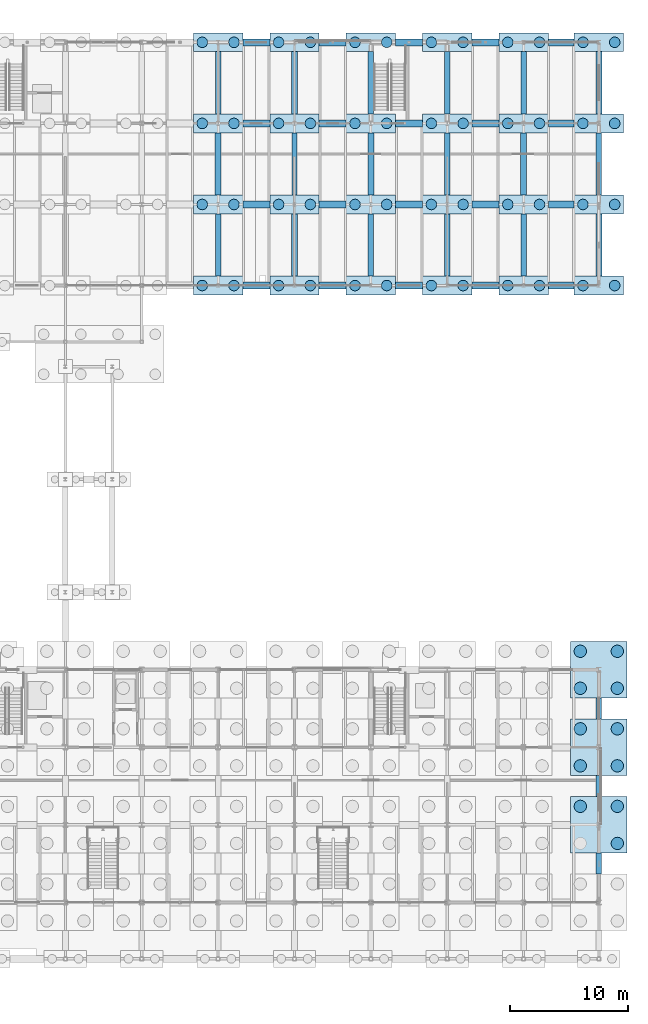
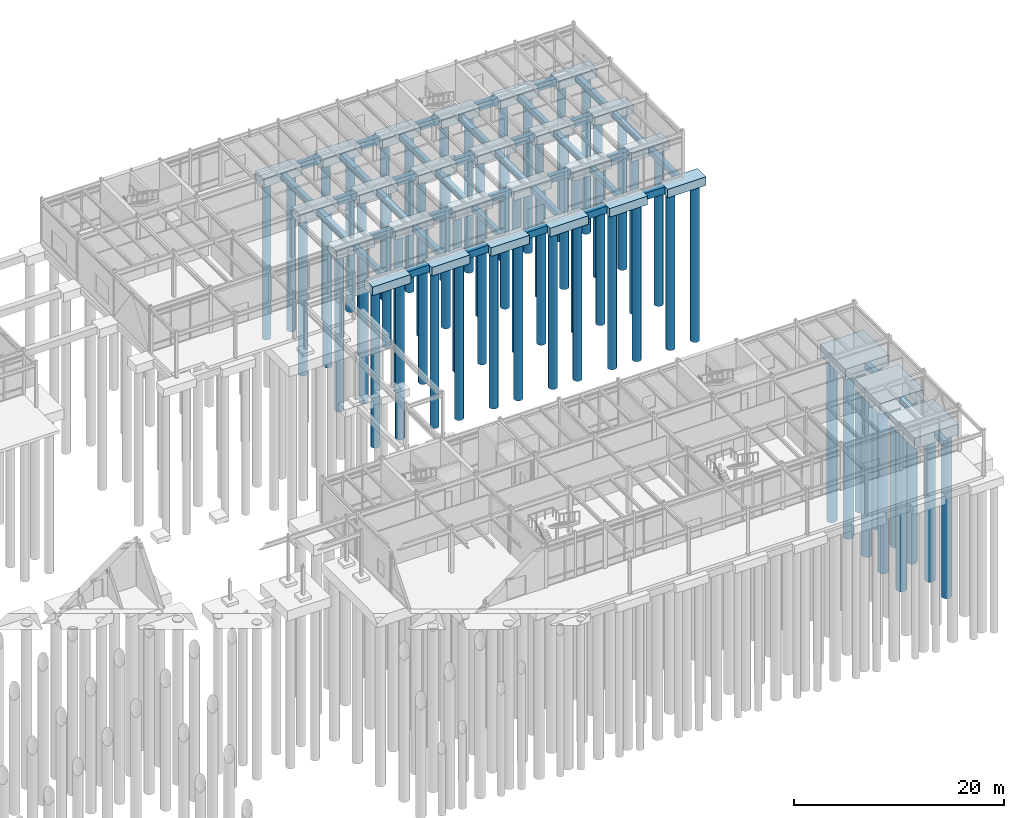
# One storey, part 7 of 82: 68 footings, 59 piles.
"""IFC4 building model written with IfcOpenShell, lengths in metres."""

from ifc_helpers import new_model, si_unit, direction, frame, origin, origin_2d, place, context, subcontext, project, spatial, rectangle, circle, extrude, material, material_profile, profile_set, type_object, element, save


model = new_model("IFC4")

# Units and contexts
model_context = context("Model", 3, precision=1e-05, world=origin(), true_north=direction((0.0, 1.0)))
body_context = subcontext(model_context, "Body", "Model", "MODEL_VIEW")
ifc_project = project(units=[si_unit("LENGTHUNIT", "METRE"), si_unit("AREAUNIT", "SQUARE_METRE"), si_unit("VOLUMEUNIT", "CUBIC_METRE"), si_unit("PLANEANGLEUNIT", "RADIAN"), si_unit("MASSUNIT", "GRAM", prefix="KILO")], contexts=[model_context])

# Site, building, storey
site_placement = place(None, origin())
site = spatial("IfcSite", under=ifc_project, at=site_placement, CompositionType="ELEMENT")
building_placement = place(site_placement, origin())
building = spatial("IfcBuilding", under=site, at=building_placement, Name="Trelmorton Wharf Fire Station", CompositionType="ELEMENT")
storey_placement = place(building_placement, origin())
storey = spatial("IfcBuildingStorey", under=building, at=storey_placement, Name="L00", CompositionType="ELEMENT", Elevation=0.0)

# Footings
ifc_material_1 = material(Name="Concrete 40 MPa", Category="concrete")
ifc_material_profile_1 = material_profile(ifc_material_1, rectangle(XDim=0.449951171875, YDim=0.64990234375, at=origin_2d()), Name="RC450x650")
ifc_profile_set_1 = profile_set([ifc_material_profile_1], Name="Concrete 40 MPa")
footing_type_1 = type_object("IfcFootingType", Name="GB_450x650", PredefinedType="FOOTING_BEAM", material=ifc_profile_set_1)
footing_1_placement = place(storey_placement, frame((130.0, 61.10009765625, -0.675048828125), z_axis=(0.0, 1.0, 0.0), x_axis=(-1.0, 0.0, 0.0)))
element("IfcFooting", 1, at=footing_1_placement, inside=storey, type_object=footing_type_1, Name="FT-GB-327", PredefinedType="FOOTING_BEAM", context=body_context, shape_type="SweptSolid", body=[
    extrude(rectangle(XDim=0.449951171875, YDim=0.64990234375, at=origin_2d()), origin(), (0.0, 0.0, 1.0), 5.2998046875),
])
for number, where, z_axis, x_axis, name in (
    (2, (130.0, 74.89990234375, -0.675048828125), (0.0, 1.0, 0.0), (-1.0, 0.0, 0.0), "FT-GB-329"),
    (3, (136.5, 68.0, -0.675048828125), (0.0, 1.0, 0.0), (-1.0, 0.0, 0.0), "FT-GB-335"),
):
    element("IfcFooting", number, at=place(storey_placement, frame(where, z_axis=z_axis, x_axis=x_axis)), inside=storey, type_object=footing_type_1, Name=name, PredefinedType="FOOTING_BEAM", context=body_context, shape_type="SweptSolid", body=[
        extrude(rectangle(XDim=0.449951171875, YDim=0.64990234375, at=origin_2d()), origin(), (0.0, 0.0, 1.0), 5.300048828125),
    ])
footing_2_placement = place(storey_placement, frame((143.0, 61.10009765625, -0.675048828125), z_axis=(0.0, 1.0, 0.0), x_axis=(-1.0, 0.0, 0.0)))
element("IfcFooting", 4, at=footing_2_placement, inside=storey, type_object=footing_type_1, Name="FT-GB-341", PredefinedType="FOOTING_BEAM", context=body_context, shape_type="SweptSolid", body=[
    extrude(rectangle(XDim=0.449951171875, YDim=0.64990234375, at=origin_2d()), origin(), (0.0, 0.0, 1.0), 5.2998046875),
])
for number, where, z_axis, x_axis, name in (
    (5, (143.0, 74.89990234375, -0.675048828125), (0.0, 1.0, 0.0), (-1.0, 0.0, 0.0), "FT-GB-343"),
    (6, (149.5, 68.0, -0.675048828125), (0.0, 1.0, 0.0), (-1.0, 0.0, 0.0), "FT-GB-349"),
):
    element("IfcFooting", number, at=place(storey_placement, frame(where, z_axis=z_axis, x_axis=x_axis)), inside=storey, type_object=footing_type_1, Name=name, PredefinedType="FOOTING_BEAM", context=body_context, shape_type="SweptSolid", body=[
        extrude(rectangle(XDim=0.449951171875, YDim=0.64990234375, at=origin_2d()), origin(), (0.0, 0.0, 1.0), 5.300048828125),
    ])
footing_3_placement = place(storey_placement, frame((156.0, 61.10009765625, -0.675048828125), z_axis=(0.0, 1.0, 0.0), x_axis=(-1.0, 0.0, 0.0)))
element("IfcFooting", 7, at=footing_3_placement, inside=storey, type_object=footing_type_1, Name="FT-GB-355", PredefinedType="FOOTING_BEAM", context=body_context, shape_type="SweptSolid", body=[
    extrude(rectangle(XDim=0.449951171875, YDim=0.64990234375, at=origin_2d()), origin(), (0.0, 0.0, 1.0), 5.2998046875),
])
footing_4_placement = place(storey_placement, frame((156.0, 74.89990234375, -0.675048828125), z_axis=(0.0, 1.0, 0.0), x_axis=(-1.0, 0.0, 0.0)))
element("IfcFooting", 8, at=footing_4_placement, inside=storey, type_object=footing_type_1, Name="FT-GB-357", PredefinedType="FOOTING_BEAM", context=body_context, shape_type="SweptSolid", body=[
    extrude(rectangle(XDim=0.449951171875, YDim=0.64990234375, at=origin_2d()), origin(), (0.0, 0.0, 1.0), 5.300048828125),
])
for number, where, z_axis, x_axis, name in (
    (9, (162.39990234375, 10.199951171875, -0.675048828125), (0.0, 1.0, 0.0), (-1.0, 0.0, 0.0), "FT-GB-359"),
    (10, (162.39990234375, 23.39990234375, -0.675048828125), (0.0, 1.0, 0.0), (-1.0, 0.0, 0.0), "FT-GB-361"),
):
    element("IfcFooting", number, at=place(storey_placement, frame(where, z_axis=z_axis, x_axis=x_axis)), inside=storey, type_object=footing_type_1, Name=name, PredefinedType="FOOTING_BEAM", context=body_context, shape_type="SweptSolid", body=[
        extrude(rectangle(XDim=0.449951171875, YDim=0.64990234375, at=origin_2d()), origin(), (0.0, 0.0, 1.0), 1.800048828125),
    ])
footing_5_placement = place(storey_placement, frame((162.39990234375, 68.0, -0.675048828125), z_axis=(0.0, 1.0, 0.0), x_axis=(-1.0, 0.0, 0.0)))
element("IfcFooting", 11, at=footing_5_placement, inside=storey, type_object=footing_type_1, Name="FT-GB-363", PredefinedType="FOOTING_BEAM", context=body_context, shape_type="SweptSolid", body=[
    extrude(rectangle(XDim=0.449951171875, YDim=0.64990234375, at=origin_2d()), origin(), (0.0, 0.0, 1.0), 5.300048828125),
])
ifc_material_profile_2 = material_profile(ifc_material_1, rectangle(XDim=0.5, YDim=0.699951171875, at=origin_2d()), Name="RC500x700")
ifc_profile_set_2 = profile_set([ifc_material_profile_2], Name="Concrete 40 MPa")
footing_type_2 = type_object("IfcFootingType", Name="GB_500x700", PredefinedType="FOOTING_BEAM", material=ifc_profile_set_2)
footing_6_placement = place(storey_placement, frame((130.0, 68.0, -0.699951171875), z_axis=(0.0, 1.0, 0.0), x_axis=(-1.0, 0.0, 0.0)))
element("IfcFooting", 12, at=footing_6_placement, inside=storey, type_object=footing_type_2, Name="FT-GB-328", PredefinedType="FOOTING_BEAM", context=body_context, shape_type="SweptSolid", body=[
    extrude(rectangle(XDim=0.5, YDim=0.699951171875, at=origin_2d()), origin(), (0.0, 0.0, 1.0), 5.300048828125),
])
footing_7_placement = place(storey_placement, frame((136.5, 61.10009765625, -0.699951171875), z_axis=(0.0, 1.0, 0.0), x_axis=(-1.0, 0.0, 0.0)))
element("IfcFooting", 13, at=footing_7_placement, inside=storey, type_object=footing_type_2, Name="FT-GB-334", PredefinedType="FOOTING_BEAM", context=body_context, shape_type="SweptSolid", body=[
    extrude(rectangle(XDim=0.5, YDim=0.699951171875, at=origin_2d()), origin(), (0.0, 0.0, 1.0), 5.2998046875),
])
for number, where, z_axis, x_axis, name in (
    (14, (136.5, 74.89990234375, -0.699951171875), (0.0, 1.0, 0.0), (-1.0, 0.0, 0.0), "FT-GB-336"),
    (15, (143.0, 68.0, -0.699951171875), (0.0, 1.0, 0.0), (-1.0, 0.0, 0.0), "FT-GB-342"),
):
    element("IfcFooting", number, at=place(storey_placement, frame(where, z_axis=z_axis, x_axis=x_axis)), inside=storey, type_object=footing_type_2, Name=name, PredefinedType="FOOTING_BEAM", context=body_context, shape_type="SweptSolid", body=[
        extrude(rectangle(XDim=0.5, YDim=0.699951171875, at=origin_2d()), origin(), (0.0, 0.0, 1.0), 5.300048828125),
    ])
footing_8_placement = place(storey_placement, frame((149.5, 61.10009765625, -0.699951171875), z_axis=(0.0, 1.0, 0.0), x_axis=(-1.0, 0.0, 0.0)))
element("IfcFooting", 16, at=footing_8_placement, inside=storey, type_object=footing_type_2, Name="FT-GB-348", PredefinedType="FOOTING_BEAM", context=body_context, shape_type="SweptSolid", body=[
    extrude(rectangle(XDim=0.5, YDim=0.699951171875, at=origin_2d()), origin(), (0.0, 0.0, 1.0), 5.2998046875),
])
for number, where, z_axis, x_axis, name in (
    (17, (149.5, 74.89990234375, -0.699951171875), (0.0, 1.0, 0.0), (-1.0, 0.0, 0.0), "FT-GB-350"),
    (18, (156.0, 68.0, -0.699951171875), (0.0, 1.0, 0.0), (-1.0, 0.0, 0.0), "FT-GB-356"),
):
    element("IfcFooting", number, at=place(storey_placement, frame(where, z_axis=z_axis, x_axis=x_axis)), inside=storey, type_object=footing_type_2, Name=name, PredefinedType="FOOTING_BEAM", context=body_context, shape_type="SweptSolid", body=[
        extrude(rectangle(XDim=0.5, YDim=0.699951171875, at=origin_2d()), origin(), (0.0, 0.0, 1.0), 5.300048828125),
    ])
footing_9_placement = place(storey_placement, frame((162.39990234375, 16.800048828125, -0.699951171875), z_axis=(0.0, 1.0, 0.0), x_axis=(-1.0, 0.0, 0.0)))
element("IfcFooting", 19, at=footing_9_placement, inside=storey, type_object=footing_type_2, Name="FT-GB-360", PredefinedType="FOOTING_BEAM", context=body_context, shape_type="SweptSolid", body=[
    extrude(rectangle(XDim=0.5, YDim=0.699951171875, at=origin_2d()), origin(), (0.0, 0.0, 1.0), 1.800048828125),
])
footing_10_placement = place(storey_placement, frame((162.39990234375, 61.10009765625, -0.699951171875), z_axis=(0.0, 1.0, 0.0), x_axis=(-1.0, 0.0, 0.0)))
element("IfcFooting", 20, at=footing_10_placement, inside=storey, type_object=footing_type_2, Name="FT-GB-362", PredefinedType="FOOTING_BEAM", context=body_context, shape_type="SweptSolid", body=[
    extrude(rectangle(XDim=0.5, YDim=0.699951171875, at=origin_2d()), origin(), (0.0, 0.0, 1.0), 5.2998046875),
])
footing_11_placement = place(storey_placement, frame((162.39990234375, 74.89990234375, -0.699951171875), z_axis=(0.0, 1.0, 0.0), x_axis=(-1.0, 0.0, 0.0)))
element("IfcFooting", 21, at=footing_11_placement, inside=storey, type_object=footing_type_2, Name="FT-GB-364", PredefinedType="FOOTING_BEAM", context=body_context, shape_type="SweptSolid", body=[
    extrude(rectangle(XDim=0.5, YDim=0.699951171875, at=origin_2d()), origin(), (0.0, 0.0, 1.0), 5.300048828125),
])
ifc_material_profile_3 = material_profile(ifc_material_1, rectangle(XDim=0.60009765625, YDim=0.800048828125, at=origin_2d()), Name="RC600x800")
ifc_profile_set_3 = profile_set([ifc_material_profile_3], Name="Concrete 40 MPa")
footing_type_3 = type_object("IfcFootingType", Name="GB_600x800", PredefinedType="FOOTING_BEAM", material=ifc_profile_set_3)
for number, where, z_axis, x_axis, name in (
    (22, (132.10009765625, 60.300048828125, -0.75), (1.0, 0.0, 0.0), (0.0, 1.0, 0.0), "FT-GB-131"),
    (23, (138.60009765625, 60.300048828125, -0.75), (1.0, 0.0, 0.0), (0.0, 1.0, 0.0), "FT-GB-132"),
    (24, (145.10009765625, 60.300048828125, -0.75), (1.0, 0.0, 0.0), (0.0, 1.0, 0.0), "FT-GB-133"),
    (25, (151.60009765625, 60.300048828125, -0.75), (1.0, 0.0, 0.0), (0.0, 1.0, 0.0), "FT-GB-134"),
):
    element("IfcFooting", number, at=place(storey_placement, frame(where, z_axis=z_axis, x_axis=x_axis)), inside=storey, type_object=footing_type_3, Name=name, PredefinedType="FOOTING_BEAM", context=body_context, shape_type="SweptSolid", body=[
        extrude(rectangle(XDim=0.60009765625, YDim=0.800048828125, at=origin_2d()), origin(), (0.0, 0.0, 1.0), 2.2998046875),
    ])
footing_12_placement = place(storey_placement, frame((158.10009765625, 60.300048828125, -0.75), z_axis=(1.0, 0.0, 0.0), x_axis=(0.0, 1.0, 0.0)))
element("IfcFooting", 26, at=footing_12_placement, inside=storey, type_object=footing_type_3, Name="FT-GB-135", PredefinedType="FOOTING_BEAM", context=body_context, shape_type="SweptSolid", body=[
    extrude(rectangle(XDim=0.60009765625, YDim=0.800048828125, at=origin_2d()), origin(), (0.0, 0.0, 1.0), 2.199951171875),
])
for number, where, z_axis, x_axis, name in (
    (27, (132.10009765625, 67.199951171875, -0.75), (1.0, 0.0, 0.0), (0.0, 1.0, 0.0), "FT-GB-152"),
    (28, (138.60009765625, 67.199951171875, -0.75), (1.0, 0.0, 0.0), (0.0, 1.0, 0.0), "FT-GB-153"),
    (29, (145.10009765625, 67.199951171875, -0.75), (1.0, 0.0, 0.0), (0.0, 1.0, 0.0), "FT-GB-154"),
    (30, (151.60009765625, 67.199951171875, -0.75), (1.0, 0.0, 0.0), (0.0, 1.0, 0.0), "FT-GB-155"),
):
    element("IfcFooting", number, at=place(storey_placement, frame(where, z_axis=z_axis, x_axis=x_axis)), inside=storey, type_object=footing_type_3, Name=name, PredefinedType="FOOTING_BEAM", context=body_context, shape_type="SweptSolid", body=[
        extrude(rectangle(XDim=0.60009765625, YDim=0.800048828125, at=origin_2d()), origin(), (0.0, 0.0, 1.0), 2.2998046875),
    ])
footing_13_placement = place(storey_placement, frame((158.10009765625, 67.199951171875, -0.75), z_axis=(1.0, 0.0, 0.0), x_axis=(0.0, 1.0, 0.0)))
element("IfcFooting", 31, at=footing_13_placement, inside=storey, type_object=footing_type_3, Name="FT-GB-156", PredefinedType="FOOTING_BEAM", context=body_context, shape_type="SweptSolid", body=[
    extrude(rectangle(XDim=0.60009765625, YDim=0.800048828125, at=origin_2d()), origin(), (0.0, 0.0, 1.0), 2.199951171875),
])
for number, where, z_axis, x_axis, name in (
    (32, (132.10009765625, 74.10009765625, -0.75), (1.0, 0.0, 0.0), (0.0, 1.0, 0.0), "FT-GB-173"),
    (33, (138.60009765625, 74.10009765625, -0.75), (1.0, 0.0, 0.0), (0.0, 1.0, 0.0), "FT-GB-174"),
    (34, (145.10009765625, 74.10009765625, -0.75), (1.0, 0.0, 0.0), (0.0, 1.0, 0.0), "FT-GB-175"),
    (35, (151.60009765625, 74.10009765625, -0.75), (1.0, 0.0, 0.0), (0.0, 1.0, 0.0), "FT-GB-176"),
):
    element("IfcFooting", number, at=place(storey_placement, frame(where, z_axis=z_axis, x_axis=x_axis)), inside=storey, type_object=footing_type_3, Name=name, PredefinedType="FOOTING_BEAM", context=body_context, shape_type="SweptSolid", body=[
        extrude(rectangle(XDim=0.60009765625, YDim=0.800048828125, at=origin_2d()), origin(), (0.0, 0.0, 1.0), 2.2998046875),
    ])
footing_14_placement = place(storey_placement, frame((158.10009765625, 74.10009765625, -0.75), z_axis=(1.0, 0.0, 0.0), x_axis=(0.0, 1.0, 0.0)))
element("IfcFooting", 36, at=footing_14_placement, inside=storey, type_object=footing_type_3, Name="FT-GB-177", PredefinedType="FOOTING_BEAM", context=body_context, shape_type="SweptSolid", body=[
    extrude(rectangle(XDim=0.60009765625, YDim=0.800048828125, at=origin_2d()), origin(), (0.0, 0.0, 1.0), 2.199951171875),
])
for number, where, z_axis, x_axis, name in (
    (37, (132.10009765625, 81.0, -0.75), (1.0, 0.0, 0.0), (0.0, 1.0, 0.0), "FT-GB-194"),
    (38, (138.60009765625, 81.0, -0.75), (1.0, 0.0, 0.0), (0.0, 1.0, 0.0), "FT-GB-195"),
    (39, (145.10009765625, 81.0, -0.75), (1.0, 0.0, 0.0), (0.0, 1.0, 0.0), "FT-GB-196"),
    (40, (151.60009765625, 81.0, -0.75), (1.0, 0.0, 0.0), (0.0, 1.0, 0.0), "FT-GB-197"),
):
    element("IfcFooting", number, at=place(storey_placement, frame(where, z_axis=z_axis, x_axis=x_axis)), inside=storey, type_object=footing_type_3, Name=name, PredefinedType="FOOTING_BEAM", context=body_context, shape_type="SweptSolid", body=[
        extrude(rectangle(XDim=0.60009765625, YDim=0.800048828125, at=origin_2d()), origin(), (0.0, 0.0, 1.0), 2.2998046875),
    ])
footing_15_placement = place(storey_placement, frame((158.10009765625, 81.0, -0.75), z_axis=(1.0, 0.0, 0.0), x_axis=(0.0, 1.0, 0.0)))
element("IfcFooting", 41, at=footing_15_placement, inside=storey, type_object=footing_type_3, Name="FT-GB-198", PredefinedType="FOOTING_BEAM", context=body_context, shape_type="SweptSolid", body=[
    extrude(rectangle(XDim=0.60009765625, YDim=0.800048828125, at=origin_2d()), origin(), (0.0, 0.0, 1.0), 2.199951171875),
])
footing_type_4 = type_object("IfcFootingType", Name="PC_2P_900_W", PredefinedType="PILE_CAP", material=ifc_material_1)
for number, where, z_axis, x_axis, name in (
    (42, (130.0, 60.300048828125, -1.35009765625), (0.0, 0.0, 1.0), (1.0, 0.0, 0.0), "FT-CAP-180"),
    (43, (130.0, 67.199951171875, -1.35009765625), (0.0, 0.0, 1.0), (1.0, 0.0, 0.0), "FT-CAP-181"),
    (44, (130.0, 74.10009765625, -1.35009765625), (0.0, 0.0, 1.0), (1.0, 0.0, 0.0), "FT-CAP-182"),
    (45, (130.0, 81.0, -1.35009765625), (0.0, 0.0, 1.0), (1.0, 0.0, 0.0), "FT-CAP-183"),
    (46, (136.5, 60.300048828125, -1.35009765625), (0.0, 0.0, 1.0), (1.0, 0.0, 0.0), "FT-CAP-189"),
    (47, (136.5, 67.199951171875, -1.35009765625), (0.0, 0.0, 1.0), (1.0, 0.0, 0.0), "FT-CAP-190"),
    (48, (136.5, 74.10009765625, -1.35009765625), (0.0, 0.0, 1.0), (1.0, 0.0, 0.0), "FT-CAP-191"),
    (49, (136.5, 81.0, -1.35009765625), (0.0, 0.0, 1.0), (1.0, 0.0, 0.0), "FT-CAP-192"),
    (50, (143.0, 60.300048828125, -1.35009765625), (0.0, 0.0, 1.0), (1.0, 0.0, 0.0), "FT-CAP-198"),
    (51, (143.0, 67.199951171875, -1.35009765625), (0.0, 0.0, 1.0), (1.0, 0.0, 0.0), "FT-CAP-199"),
    (52, (143.0, 74.10009765625, -1.35009765625), (0.0, 0.0, 1.0), (1.0, 0.0, 0.0), "FT-CAP-200"),
    (53, (143.0, 81.0, -1.35009765625), (0.0, 0.0, 1.0), (1.0, 0.0, 0.0), "FT-CAP-201"),
    (54, (149.5, 60.300048828125, -1.35009765625), (0.0, 0.0, 1.0), (1.0, 0.0, 0.0), "FT-CAP-207"),
    (55, (149.5, 67.199951171875, -1.35009765625), (0.0, 0.0, 1.0), (1.0, 0.0, 0.0), "FT-CAP-208"),
    (56, (149.5, 74.10009765625, -1.35009765625), (0.0, 0.0, 1.0), (1.0, 0.0, 0.0), "FT-CAP-209"),
    (57, (149.5, 81.0, -1.35009765625), (0.0, 0.0, 1.0), (1.0, 0.0, 0.0), "FT-CAP-210"),
    (58, (156.0, 60.300048828125, -1.35009765625), (0.0, 0.0, 1.0), (1.0, 0.0, 0.0), "FT-CAP-216"),
    (59, (156.0, 67.199951171875, -1.35009765625), (0.0, 0.0, 1.0), (1.0, 0.0, 0.0), "FT-CAP-217"),
    (60, (156.0, 74.10009765625, -1.35009765625), (0.0, 0.0, 1.0), (1.0, 0.0, 0.0), "FT-CAP-218"),
    (61, (156.0, 81.0, -1.35009765625), (0.0, 0.0, 1.0), (1.0, 0.0, 0.0), "FT-CAP-219"),
    (62, (162.39990234375, 60.300048828125, -1.35009765625), (0.0, 0.0, 1.0), (1.0, 0.0, 0.0), "FT-CAP-225"),
    (63, (162.39990234375, 67.199951171875, -1.35009765625), (0.0, 0.0, 1.0), (1.0, 0.0, 0.0), "FT-CAP-226"),
    (64, (162.39990234375, 74.10009765625, -1.35009765625), (0.0, 0.0, 1.0), (1.0, 0.0, 0.0), "FT-CAP-227"),
    (65, (162.39990234375, 81.0, -1.35009765625), (0.0, 0.0, 1.0), (1.0, 0.0, 0.0), "FT-CAP-228"),
):
    element("IfcFooting", number, at=place(storey_placement, frame(where, z_axis=z_axis, x_axis=x_axis)), inside=storey, type_object=footing_type_4, Name=name, PredefinedType="PILE_CAP", context=body_context, shape_type="SweptSolid", body=[
        extrude(rectangle(XDim=4.199951171875, YDim=1.60009765625, at=origin_2d()), origin(), (0.0, 0.0, 1.0), 1.0),
    ])
footing_type_5 = type_object("IfcFootingType", Name="PC_4P_1050_W", PredefinedType="PILE_CAP", material=ifc_material_1)
for number, where, z_axis, x_axis, name in (
    (66, (162.39990234375, 14.39990234375, -1.60009765625), (0.0, 0.0, 1.0), (1.0, 0.0, 0.0), "FT-CAP-222"),
    (67, (162.39990234375, 21.0, -1.60009765625), (0.0, 0.0, 1.0), (1.0, 0.0, 0.0), "FT-CAP-223"),
    (68, (162.39990234375, 27.60009765625, -1.60009765625), (0.0, 0.0, 1.0), (1.0, 0.0, 0.0), "FT-CAP-224"),
):
    element("IfcFooting", number, at=place(storey_placement, frame(where, z_axis=z_axis, x_axis=x_axis)), inside=storey, type_object=footing_type_5, Name=name, PredefinedType="PILE_CAP", context=body_context, shape_type="SweptSolid", body=[
        extrude(rectangle(XDim=4.800048828125, YDim=4.800048828125, at=origin_2d()), origin(), (0.0, 0.0, 1.0), 1.25),
    ])

# Piles
ifc_material_2 = material(Name="Concrete 45 MPa", Category="concrete")
ifc_material_profile_4 = material_profile(ifc_material_2, circle(Radius=0.52490234375, at=origin_2d()), Name="PILE-D1050")
ifc_profile_set_4 = profile_set([ifc_material_profile_4], Name="Concrete 45 MPa")
pile_type_1 = type_object("IfcPileType", Name="PILE_D1050", PredefinedType="BORED", material=ifc_profile_set_4)
for number, where, z_axis, x_axis, name in (
    (69, (163.97509765625, 12.824951171875, -1.5), (0.0, 0.0, -1.0), (1.0, 0.0, 0.0), "PL-0562"),
    (70, (160.824951171875, 15.97509765625, -1.5), (0.0, 0.0, -1.0), (1.0, 0.0, 0.0), "PL-0563"),
    (71, (163.97509765625, 15.97509765625, -1.5), (0.0, 0.0, -1.0), (1.0, 0.0, 0.0), "PL-0564"),
    (72, (160.824951171875, 19.425048828125, -1.5), (0.0, 0.0, -1.0), (1.0, 0.0, 0.0), "PL-0565"),
    (73, (163.97509765625, 19.425048828125, -1.5), (0.0, 0.0, -1.0), (1.0, 0.0, 0.0), "PL-0566"),
    (74, (160.824951171875, 22.574951171875, -1.5), (0.0, 0.0, -1.0), (1.0, 0.0, 0.0), "PL-0567"),
    (75, (163.97509765625, 22.574951171875, -1.5), (0.0, 0.0, -1.0), (1.0, 0.0, 0.0), "PL-0568"),
    (76, (160.824951171875, 26.02490234375, -1.5), (0.0, 0.0, -1.0), (1.0, 0.0, 0.0), "PL-0569"),
    (77, (163.97509765625, 26.02490234375, -1.5), (0.0, 0.0, -1.0), (1.0, 0.0, 0.0), "PL-0570"),
    (78, (160.824951171875, 29.175048828125, -1.5), (0.0, 0.0, -1.0), (1.0, 0.0, 0.0), "PL-0571"),
    (79, (163.97509765625, 29.175048828125, -1.5), (0.0, 0.0, -1.0), (1.0, 0.0, 0.0), "PL-0572"),
):
    element("IfcPile", number, at=place(storey_placement, frame(where, z_axis=z_axis, x_axis=x_axis)), inside=storey, type_object=pile_type_1, Name=name, PredefinedType="BORED", context=body_context, shape_type="SweptSolid", body=[
        extrude(circle(Radius=0.52490234375, at=origin_2d()), origin(), (0.0, 0.0, 1.0), 19.0),
    ])
ifc_material_profile_5 = material_profile(ifc_material_2, circle(Radius=0.449951171875, at=origin_2d()), Name="PILE-D900")
ifc_profile_set_5 = profile_set([ifc_material_profile_5], Name="Concrete 45 MPa")
pile_type_2 = type_object("IfcPileType", Name="PILE_D900", PredefinedType="BORED", material=ifc_profile_set_5)
for number, where, z_axis, x_axis, name in (
    (80, (128.64990234375, 60.300048828125, -1.25), (0.0, 0.0, -1.0), (1.0, 0.0, 0.0), "PL-0443"),
    (81, (131.35009765625, 60.300048828125, -1.25), (0.0, 0.0, -1.0), (1.0, 0.0, 0.0), "PL-0444"),
    (82, (128.64990234375, 67.199951171875, -1.25), (0.0, 0.0, -1.0), (1.0, 0.0, 0.0), "PL-0445"),
    (83, (131.35009765625, 67.199951171875, -1.25), (0.0, 0.0, -1.0), (1.0, 0.0, 0.0), "PL-0446"),
    (84, (128.64990234375, 74.10009765625, -1.25), (0.0, 0.0, -1.0), (1.0, 0.0, 0.0), "PL-0447"),
    (85, (131.35009765625, 74.10009765625, -1.25), (0.0, 0.0, -1.0), (1.0, 0.0, 0.0), "PL-0448"),
    (86, (128.64990234375, 81.0, -1.25), (0.0, 0.0, -1.0), (1.0, 0.0, 0.0), "PL-0449"),
    (87, (131.35009765625, 81.0, -1.25), (0.0, 0.0, -1.0), (1.0, 0.0, 0.0), "PL-0450"),
    (88, (135.14990234375, 60.300048828125, -1.25), (0.0, 0.0, -1.0), (1.0, 0.0, 0.0), "PL-0469"),
    (89, (137.85009765625, 60.300048828125, -1.25), (0.0, 0.0, -1.0), (1.0, 0.0, 0.0), "PL-0470"),
    (90, (135.14990234375, 67.199951171875, -1.25), (0.0, 0.0, -1.0), (1.0, 0.0, 0.0), "PL-0471"),
    (91, (137.85009765625, 67.199951171875, -1.25), (0.0, 0.0, -1.0), (1.0, 0.0, 0.0), "PL-0472"),
    (92, (135.14990234375, 74.10009765625, -1.25), (0.0, 0.0, -1.0), (1.0, 0.0, 0.0), "PL-0473"),
    (93, (137.85009765625, 74.10009765625, -1.25), (0.0, 0.0, -1.0), (1.0, 0.0, 0.0), "PL-0474"),
    (94, (135.14990234375, 81.0, -1.25), (0.0, 0.0, -1.0), (1.0, 0.0, 0.0), "PL-0475"),
    (95, (137.85009765625, 81.0, -1.25), (0.0, 0.0, -1.0), (1.0, 0.0, 0.0), "PL-0476"),
    (96, (141.64990234375, 60.300048828125, -1.25), (0.0, 0.0, -1.0), (1.0, 0.0, 0.0), "PL-0495"),
    (97, (144.35009765625, 60.300048828125, -1.25), (0.0, 0.0, -1.0), (1.0, 0.0, 0.0), "PL-0496"),
    (98, (141.64990234375, 67.199951171875, -1.25), (0.0, 0.0, -1.0), (1.0, 0.0, 0.0), "PL-0497"),
    (99, (144.35009765625, 67.199951171875, -1.25), (0.0, 0.0, -1.0), (1.0, 0.0, 0.0), "PL-0498"),
    (100, (141.64990234375, 74.10009765625, -1.25), (0.0, 0.0, -1.0), (1.0, 0.0, 0.0), "PL-0499"),
    (101, (144.35009765625, 74.10009765625, -1.25), (0.0, 0.0, -1.0), (1.0, 0.0, 0.0), "PL-0500"),
    (102, (141.64990234375, 81.0, -1.25), (0.0, 0.0, -1.0), (1.0, 0.0, 0.0), "PL-0501"),
    (103, (144.35009765625, 81.0, -1.25), (0.0, 0.0, -1.0), (1.0, 0.0, 0.0), "PL-0502"),
    (104, (148.14990234375, 60.300048828125, -1.25), (0.0, 0.0, -1.0), (1.0, 0.0, 0.0), "PL-0521"),
    (105, (150.85009765625, 60.300048828125, -1.25), (0.0, 0.0, -1.0), (1.0, 0.0, 0.0), "PL-0522"),
    (106, (148.14990234375, 67.199951171875, -1.25), (0.0, 0.0, -1.0), (1.0, 0.0, 0.0), "PL-0523"),
    (107, (150.85009765625, 67.199951171875, -1.25), (0.0, 0.0, -1.0), (1.0, 0.0, 0.0), "PL-0524"),
    (108, (148.14990234375, 74.10009765625, -1.25), (0.0, 0.0, -1.0), (1.0, 0.0, 0.0), "PL-0525"),
    (109, (150.85009765625, 74.10009765625, -1.25), (0.0, 0.0, -1.0), (1.0, 0.0, 0.0), "PL-0526"),
    (110, (148.14990234375, 81.0, -1.25), (0.0, 0.0, -1.0), (1.0, 0.0, 0.0), "PL-0527"),
    (111, (150.85009765625, 81.0, -1.25), (0.0, 0.0, -1.0), (1.0, 0.0, 0.0), "PL-0528"),
    (112, (154.64990234375, 60.300048828125, -1.25), (0.0, 0.0, -1.0), (1.0, 0.0, 0.0), "PL-0547"),
    (113, (157.35009765625, 60.300048828125, -1.25), (0.0, 0.0, -1.0), (1.0, 0.0, 0.0), "PL-0548"),
    (114, (154.64990234375, 67.199951171875, -1.25), (0.0, 0.0, -1.0), (1.0, 0.0, 0.0), "PL-0549"),
    (115, (157.35009765625, 67.199951171875, -1.25), (0.0, 0.0, -1.0), (1.0, 0.0, 0.0), "PL-0550"),
    (116, (154.64990234375, 74.10009765625, -1.25), (0.0, 0.0, -1.0), (1.0, 0.0, 0.0), "PL-0551"),
    (117, (157.35009765625, 74.10009765625, -1.25), (0.0, 0.0, -1.0), (1.0, 0.0, 0.0), "PL-0552"),
    (118, (154.64990234375, 81.0, -1.25), (0.0, 0.0, -1.0), (1.0, 0.0, 0.0), "PL-0553"),
    (119, (157.35009765625, 81.0, -1.25), (0.0, 0.0, -1.0), (1.0, 0.0, 0.0), "PL-0554"),
    (120, (161.050048828125, 60.300048828125, -1.25), (0.0, 0.0, -1.0), (1.0, 0.0, 0.0), "PL-0573"),
    (121, (163.75, 60.300048828125, -1.25), (0.0, 0.0, -1.0), (1.0, 0.0, 0.0), "PL-0574"),
    (122, (161.050048828125, 67.199951171875, -1.25), (0.0, 0.0, -1.0), (1.0, 0.0, 0.0), "PL-0575"),
    (123, (163.75, 67.199951171875, -1.25), (0.0, 0.0, -1.0), (1.0, 0.0, 0.0), "PL-0576"),
    (124, (161.050048828125, 74.10009765625, -1.25), (0.0, 0.0, -1.0), (1.0, 0.0, 0.0), "PL-0577"),
    (125, (163.75, 74.10009765625, -1.25), (0.0, 0.0, -1.0), (1.0, 0.0, 0.0), "PL-0578"),
    (126, (161.050048828125, 81.0, -1.25), (0.0, 0.0, -1.0), (1.0, 0.0, 0.0), "PL-0579"),
    (127, (163.75, 81.0, -1.25), (0.0, 0.0, -1.0), (1.0, 0.0, 0.0), "PL-0580"),
):
    element("IfcPile", number, at=place(storey_placement, frame(where, z_axis=z_axis, x_axis=x_axis)), inside=storey, type_object=pile_type_2, Name=name, PredefinedType="BORED", context=body_context, shape_type="SweptSolid", body=[
        extrude(circle(Radius=0.449951171875, at=origin_2d()), origin(), (0.0, 0.0, 1.0), 18.25),
    ])

save(model, "model.ifc")
